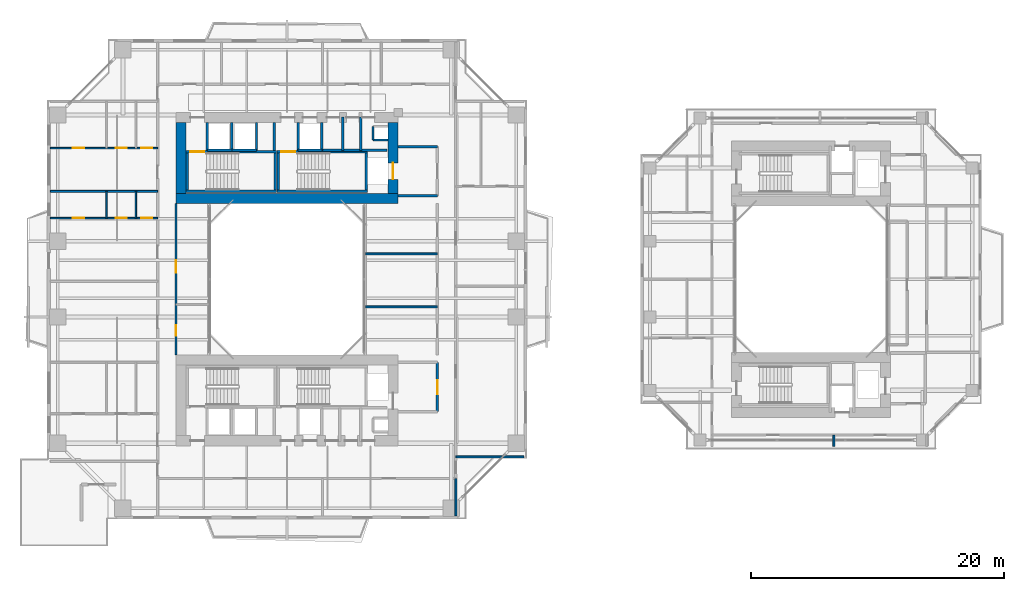
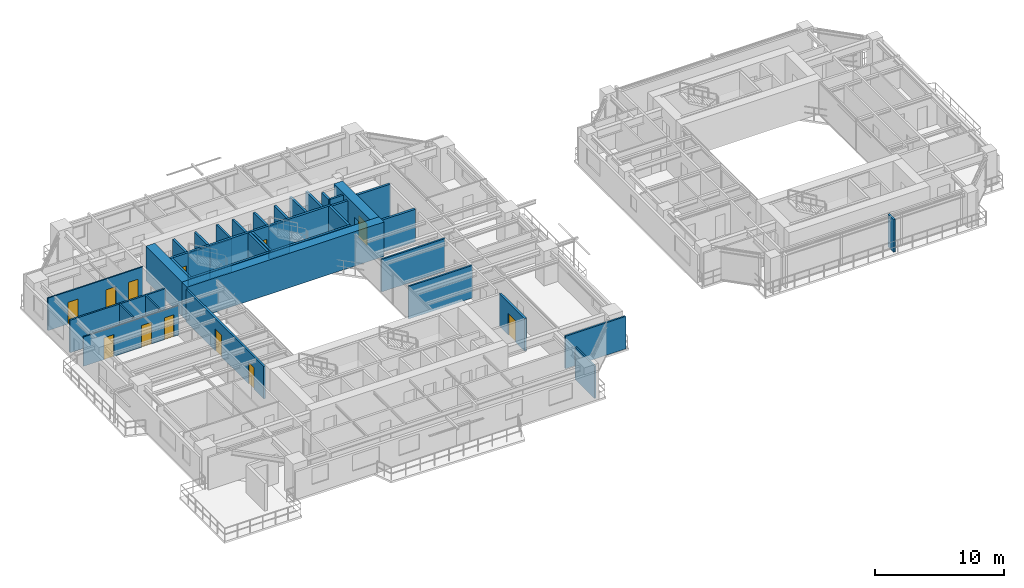
# One storey, part 14 of 24: 39 walls, 12 doors, 12 openings.
"""IFC4 building model written with IfcOpenShell, lengths in metres."""

from ifc_helpers import new_model, si_unit, direction, frame, frame_2d, origin, place, context, subcontext, project, spatial, rectangle, extrude, source, transform, mapped, material, layer, layer_set, type_object, element, fill, save


model = new_model("IFC4")

# Units and contexts
model_context = context("Model", 3, precision=1e-05, world=origin(), true_north=direction((0.0, 1.0)))
body_context = subcontext(model_context, "Body", "Model", "MODEL_VIEW")
ifc_project = project(units=[si_unit("LENGTHUNIT", "METRE"), si_unit("AREAUNIT", "SQUARE_METRE"), si_unit("VOLUMEUNIT", "CUBIC_METRE"), si_unit("PLANEANGLEUNIT", "RADIAN"), si_unit("MASSUNIT", "GRAM", prefix="KILO"), si_unit("THERMODYNAMICTEMPERATUREUNIT", "KELVIN"), si_unit("POWERUNIT", "WATT")], contexts=[model_context])

# Site, building, storey
site_placement = place(None, origin())
site = spatial("IfcSite", under=ifc_project, at=site_placement, CompositionType="ELEMENT")
building_placement = place(site_placement, origin())
building = spatial("IfcBuilding", under=site, at=building_placement, Name="Qiaomeng Ring Towers", CompositionType="ELEMENT")
storey_placement = place(building_placement, frame((0.0, 0.0, 63.25)))
storey = spatial("IfcBuildingStorey", under=building, at=storey_placement, Name="L17", CompositionType="ELEMENT", Elevation=63.25)

# Walls
ifc_material_1 = material(Name="Autoclaved aerated concrete block", Category="concrete")
ifc_layer_1 = layer(ifc_material_1, 0.199951171875, Name="Autoclaved aerated concrete block")
ifc_layer_set_1 = layer_set([ifc_layer_1], Name="Autoclaved aerated concrete block")
wall_type_1 = type_object("IfcWallType", Name="ARC-WL-PW1", PredefinedType="PARTITIONING", material=ifc_layer_set_1)
for number, where, z_axis, x_axis, name in (
    (1, (27.800048828125, 29.60009765625, 0.0), (0.0, 0.0, 1.0), (1.0, 0.0, 0.0), "L17 Interior Wall PW1"),
    (2, (27.800048828125, 33.5, 0.0), (0.0, 0.0, 1.0), (1.0, 0.0, 0.0), "L17 Interior Wall PW1"),
):
    element("IfcWall", number, at=place(storey_placement, frame(where, z_axis=z_axis, x_axis=x_axis)), inside=storey, type_object=wall_type_1, Name=name, PredefinedType="PARTITIONING", context=body_context, shape_type="SweptSolid", body=[
        extrude(rectangle(XDim=3.099853515625, YDim=0.199951171875, at=frame_2d((1.5498046875, 0.0))), origin(), (0.0, 0.0, 1.0), 3.070068359375),
    ])

# Wall, opening, door
wall_1_placement = place(storey_placement, frame((30.89990234375, 12.5, 0.0), z_axis=(0.0, 0.0, 1.0), x_axis=(0.0, 1.0, 0.0)))
wall_1 = element("IfcWall", 3, at=wall_1_placement, inside=storey, type_object=wall_type_1, Name="L17 Interior Wall PW1", PredefinedType="PARTITIONING", context=body_context, shape_type="SweptSolid", body=[
    extrude(rectangle(XDim=3.89990234375, YDim=0.199951171875, at=frame_2d((1.949951171875, 0.0))), origin(), (0.0, 0.0, 1.0), 3.070068359375),
])
opening_1_placement = place(wall_1_placement, frame((1.39990234375, 0.0, 0.0)))
opening_1 = element("IfcOpeningElement", 4, at=opening_1_placement, cuts=wall_1, Name="Opening FD3", PredefinedType="OPENING", context=body_context, shape_type="SweptSolid", body=[
    extrude(rectangle(XDim=1.10009765625, YDim=2.050048828125, at=frame_2d((0.550048828125, 1.02490234375))), frame((0.0, 0.10986328125, 0.0), z_axis=(0.0, -1.0, 0.0), x_axis=(1.0, 0.0, 0.0)), (0.0, 0.0, 1.0), 0.219970703125),
])
ifc_material_2 = material(Name="Galvanised steel", Category="steel")
door_type_1 = type_object("IfcDoorType", Name="ARC-DR-FD3", OperationType="NOTDEFINED", PredefinedType="DOOR", material=ifc_material_2)
shared_shape_1 = source(origin(), body_context, "Body", "SweptSolid", [
    extrude(rectangle(XDim=1.10009765625, YDim=2.050048828125, at=frame_2d((0.550048828125, 1.02490234375))), frame((0.0, 0.02490234375, 0.0), z_axis=(0.0, -1.0, 0.0), x_axis=(1.0, 0.0, 0.0)), (0.0, 0.0, 1.0), 0.050048828125),
])
door_1_placement = place(opening_1_placement, origin())
door_1 = element("IfcDoor", 5, at=door_1_placement, inside=storey, type_object=door_type_1, Name="L17 South FF Lobby Door", OperationType="SINGLE_SWING_RIGHT", OverallHeight=2.050048828125, OverallWidth=1.10009765625, PredefinedType="DOOR", context=body_context, shape_type="MappedRepresentation", body=[
    mapped(shared_shape_1, transform((0.0, 0.0, 0.0), x_axis=(1.0, 0.0, 0.0), y_axis=(0.0, 1.0, 0.0), z_axis=(0.0, 0.0, 1.0), scale=1.0)),
])
fill(opening_1, door_1)

# Walls
for number, where, z_axis, x_axis, name in (
    (6, (12.679931640625, 33.18994140625, 0.0), (0.0, 0.0, 1.0), (0.0, 1.0, 0.0), "L17 Interior Wall PW1"),
    (7, (18.0, 33.18994140625, 0.0), (0.0, 0.0, 1.0), (0.0, 1.0, 0.0), "L17 Interior Wall PW1"),
    (8, (19.8798828125, 33.18994140625, 0.0), (0.0, 0.0, 1.0), (0.0, 1.0, 0.0), "L17 Interior Wall PW1"),
):
    element("IfcWall", number, at=place(storey_placement, frame(where, z_axis=z_axis, x_axis=x_axis)), inside=storey, type_object=wall_type_1, Name=name, PredefinedType="PARTITIONING", context=body_context, shape_type="SweptSolid", body=[
        extrude(rectangle(XDim=2.2099609375, YDim=0.199951171875, at=frame_2d((1.10498046875, 0.0))), origin(), (0.0, 0.0, 1.0), 3.070068359375),
    ])
wall_2_placement = place(storey_placement, frame((24.820068359375, 33.199951171875, 0.0), z_axis=(0.0, 0.0, 1.0), x_axis=(0.0, 1.0, 0.0)))
element("IfcWall", 9, at=wall_2_placement, inside=storey, type_object=wall_type_1, Name="L17 Interior Wall PW1", PredefinedType="PARTITIONING", context=body_context, shape_type="SweptSolid", body=[
    extrude(rectangle(XDim=2.650146484375, YDim=0.199951171875, at=frame_2d((1.3251953125, 0.0))), origin(), (0.0, 0.0, 1.0), 3.070068359375),
])
wall_3_placement = place(storey_placement, frame((21.75, 33.199951171875, 0.0), z_axis=(0.0, 0.0, 1.0), x_axis=(0.0, 1.0, 0.0)))
element("IfcWall", 10, at=wall_3_placement, inside=storey, type_object=wall_type_1, Name="L17 Interior Wall PW1", PredefinedType="PARTITIONING", context=body_context, shape_type="SweptSolid", body=[
    extrude(rectangle(XDim=2.199951171875, YDim=0.199951171875, at=frame_2d((1.10009765625, 0.0))), origin(), (0.0, 0.0, 1.0), 3.070068359375),
])
wall_4_placement = place(storey_placement, frame((23.39990234375, 33.199951171875, 0.0), z_axis=(0.0, 0.0, 1.0), x_axis=(0.0, 1.0, 0.0)))
element("IfcWall", 11, at=wall_4_placement, inside=storey, type_object=wall_type_1, Name="L17 Interior Wall PW1", PredefinedType="PARTITIONING", context=body_context, shape_type="SweptSolid", body=[
    extrude(rectangle(XDim=2.650146484375, YDim=0.199951171875, at=frame_2d((1.3251953125, 0.0))), origin(), (0.0, 0.0, 1.0), 3.070068359375),
])
wall_5_placement = place(storey_placement, frame((21.75, 33.199951171875, 0.0), z_axis=(0.0, 0.0, 1.0), x_axis=(1.0, 0.0, 0.0)))
element("IfcWall", 12, at=wall_5_placement, inside=storey, type_object=wall_type_1, Name="L17 Interior Wall PW1", PredefinedType="PARTITIONING", context=body_context, shape_type="SweptSolid", body=[
    extrude(rectangle(XDim=5.169921875, YDim=0.199951171875, at=frame_2d((2.5849609375, 0.0))), origin(), (0.0, 0.0, 1.0), 3.070068359375),
])

# Wall, openings, doors
ifc_layer_2 = layer(ifc_material_1, 0.179931640625, Name="Autoclaved aerated concrete block")
ifc_layer_set_2 = layer_set([ifc_layer_2], Name="Autoclaved aerated concrete block")
wall_type_2 = type_object("IfcWallType", Name="ARC-WL-PW2", PredefinedType="PARTITIONING", material=ifc_layer_set_2)
wall_6_placement = place(storey_placement, frame((10.199951171875, 17.0, 0.0), z_axis=(0.0, 0.0, 1.0), x_axis=(0.0, 1.0, 0.0)))
wall_6 = element("IfcWall", 13, at=wall_6_placement, inside=storey, type_object=wall_type_2, Name="L17 Interior Wall PW2", PredefinedType="PARTITIONING", context=body_context, shape_type="SweptSolid", body=[
    extrude(rectangle(XDim=12.0, YDim=0.179931640625, at=frame_2d((6.0, 0.0))), origin(), (0.0, 0.0, 1.0), 3.070068359375),
])
opening_2_placement = place(wall_6_placement, frame((1.5, 0.0, 0.0)))
opening_2 = element("IfcOpeningElement", 14, at=opening_2_placement, cuts=wall_6, Name="Opening ID2", PredefinedType="OPENING", context=body_context, shape_type="SweptSolid", body=[
    extrude(rectangle(XDim=0.85009765625, YDim=2.050048828125, at=frame_2d((0.425048828125, 1.02490234375))), frame((0.0, 0.099853515625, 0.0), z_axis=(0.0, -1.0, 0.0), x_axis=(1.0, 0.0, 0.0)), (0.0, 0.0, 1.0), 0.199951171875),
])
opening_3_placement = place(wall_6_placement, frame((6.5, 0.0, 0.0)))
opening_3 = element("IfcOpeningElement", 15, at=opening_3_placement, cuts=wall_6, Name="Opening FD4", PredefinedType="OPENING", context=body_context, shape_type="SweptSolid", body=[
    extrude(rectangle(XDim=1.0, YDim=2.050048828125, at=frame_2d((0.5, 1.02490234375))), frame((0.0, 0.099853515625, 0.0), z_axis=(0.0, -1.0, 0.0), x_axis=(1.0, 0.0, 0.0)), (0.0, 0.0, 1.0), 0.199951171875),
])
ifc_material_3 = material(Name="Engineered fire-rated oak timber", Category="wood")
door_type_2 = type_object("IfcDoorType", Name="ARC-DR-FD4", OperationType="NOTDEFINED", PredefinedType="DOOR", material=ifc_material_3)
shared_shape_2 = source(origin(), body_context, "Body", "SweptSolid", [
    extrude(rectangle(XDim=1.0, YDim=2.050048828125, at=frame_2d((0.5, 1.02490234375))), frame((0.0, 0.02490234375, 0.0), z_axis=(0.0, -1.0, 0.0), x_axis=(1.0, 0.0, 0.0)), (0.0, 0.0, 1.0), 0.050048828125),
])
door_2_placement = place(opening_3_placement, origin())
door_2 = element("IfcDoor", 16, at=door_2_placement, inside=storey, type_object=door_type_2, Name="L17 Door FD4", OperationType="SINGLE_SWING_LEFT", OverallHeight=2.050048828125, OverallWidth=1.0, PredefinedType="DOOR", context=body_context, shape_type="MappedRepresentation", body=[
    mapped(shared_shape_2, transform((0.0, 0.0, 0.0), x_axis=(1.0, 0.0, 0.0), y_axis=(0.0, 1.0, 0.0), z_axis=(0.0, 0.0, 1.0), scale=1.0)),
])
fill(opening_3, door_2)
ifc_material_4 = material(Name="Moisture-resistant engineered timber", Category="wood")
door_type_3 = type_object("IfcDoorType", Name="ARC-DR-ID2", OperationType="NOTDEFINED", PredefinedType="DOOR", material=ifc_material_4)
shared_shape_3 = source(origin(), body_context, "Body", "SweptSolid", [
    extrude(rectangle(XDim=0.85009765625, YDim=2.050048828125, at=frame_2d((0.425048828125, 1.02490234375))), frame((0.0, 0.02490234375, 0.0), z_axis=(0.0, -1.0, 0.0), x_axis=(1.0, 0.0, 0.0)), (0.0, 0.0, 1.0), 0.050048828125),
])
door_3_placement = place(opening_2_placement, origin())
door_3 = element("IfcDoor", 17, at=door_3_placement, inside=storey, type_object=door_type_3, Name="L17 Door ID2", OperationType="SINGLE_SWING_RIGHT", OverallHeight=2.050048828125, OverallWidth=0.85009765625, PredefinedType="DOOR", context=body_context, shape_type="MappedRepresentation", body=[
    mapped(shared_shape_3, transform((0.0, 0.0, 0.0), x_axis=(1.0, 0.0, 0.0), y_axis=(0.0, 1.0, 0.0), z_axis=(0.0, 0.0, 1.0), scale=1.0)),
])
fill(opening_2, door_3)

# Walls
ifc_material_5 = material(Name="Gypsum fireboard steel-stud partition", Category="steel")
ifc_layer_3 = layer(ifc_material_5, 0.14990234375, Name="Gypsum fireboard steel-stud partition")
ifc_layer_set_3 = layer_set([ifc_layer_3], Name="Gypsum fireboard steel-stud partition")
wall_type_3 = type_object("IfcWallType", Name="ARC-WL-PW3", PredefinedType="PARTITIONING", material=ifc_layer_set_3)
wall_7_placement = place(storey_placement, frame((32.360107421875, 4.25, 0.0), z_axis=(0.0, 0.0, 1.0), x_axis=(0.0, 1.0, 0.0)))
element("IfcWall", 18, at=wall_7_placement, inside=storey, type_object=wall_type_3, Name="L17 Interior Wall PW3", PredefinedType="PARTITIONING", context=body_context, shape_type="SweptSolid", body=[
    extrude(rectangle(XDim=2.9599609375, YDim=0.14990234375, at=frame_2d((1.47998046875, 0.0))), origin(), (0.0, 0.0, 1.0), 3.070068359375),
])
wall_8_placement = place(storey_placement, frame((0.25, 29.949951171875, 0.0), z_axis=(0.0, 0.0, 1.0), x_axis=(1.0, 0.0, 0.0)))
element("IfcWall", 19, at=wall_8_placement, inside=storey, type_object=wall_type_3, Name="L17 Interior Wall PW3", PredefinedType="PARTITIONING", context=body_context, shape_type="SweptSolid", body=[
    extrude(rectangle(XDim=8.5, YDim=0.14990234375, at=frame_2d((4.25, 0.0))), origin(), (0.0, 0.0, 1.0), 3.070068359375),
])
wall_9_placement = place(storey_placement, frame((32.360107421875, 8.919921875, 0.0), z_axis=(0.0, 0.0, 1.0), x_axis=(1.0, 0.0, 0.0)))
element("IfcWall", 20, at=wall_9_placement, inside=storey, type_object=wall_type_3, Name="L17 Interior Wall PW3", PredefinedType="PARTITIONING", context=body_context, shape_type="SweptSolid", body=[
    extrude(rectangle(XDim=5.389892578125, YDim=0.14990234375, at=frame_2d((2.69482421875, 0.0))), origin(), (0.0, 0.0, 1.0), 3.070068359375),
])
for number, where, z_axis, x_axis, name in (
    (21, (25.219970703125, 20.800048828125, 0.0), (0.0, 0.0, 1.0), (1.0, 0.0, 0.0), "L17 Interior Wall PW3"),
    (22, (25.219970703125, 25.0, 0.0), (0.0, 0.0, 1.0), (1.0, 0.0, 0.0), "L17 Interior Wall PW3"),
):
    element("IfcWall", number, at=place(storey_placement, frame(where, z_axis=z_axis, x_axis=x_axis)), inside=storey, type_object=wall_type_3, Name=name, PredefinedType="PARTITIONING", context=body_context, shape_type="SweptSolid", body=[
        extrude(rectangle(XDim=5.679931640625, YDim=0.14990234375, at=frame_2d((2.83984375, 0.0))), origin(), (0.0, 0.0, 1.0), 3.070068359375),
    ])
wall_10_placement = place(storey_placement, frame((62.300048828125, 9.75, 0.0), z_axis=(0.0, 0.0, 1.0), x_axis=(0.0, 1.0, 0.0)))
element("IfcWall", 23, at=wall_10_placement, inside=storey, type_object=wall_type_3, Name="L17 Interior Wall PW3", PredefinedType="PARTITIONING", context=body_context, shape_type="SweptSolid", body=[
    extrude(rectangle(XDim=0.89990234375, YDim=0.14990234375, at=frame_2d((0.449951171875, 0.0))), origin(), (0.0, 0.0, 1.0), 3.070068359375),
])

# Wall, openings, doors
ifc_material_6 = material(Name="Moisture-resistant gypsum steel-stud partition", Category="steel")
ifc_layer_4 = layer(ifc_material_6, 0.1201171875, Name="Moisture-resistant gypsum steel-stud partition")
ifc_layer_set_4 = layer_set([ifc_layer_4], Name="Moisture-resistant gypsum steel-stud partition")
wall_type_4 = type_object("IfcWallType", Name="ARC-WL-PW4", PredefinedType="PLUMBINGWALL", material=ifc_layer_set_4)
wall_11_placement = place(storey_placement, frame((0.25, 27.830078125, 0.0), z_axis=(0.0, 0.0, 1.0), x_axis=(1.0, 0.0, 0.0)))
wall_11 = element("IfcWall", 24, at=wall_11_placement, inside=storey, type_object=wall_type_4, Name="L17 Interior Wall PW4", PredefinedType="PLUMBINGWALL", context=body_context, shape_type="SweptSolid", body=[
    extrude(rectangle(XDim=8.5, YDim=0.1201171875, at=frame_2d((4.25, 0.0))), origin(), (0.0, 0.0, 1.0), 2.77099609375),
])
opening_4_placement = place(wall_11_placement, frame((1.7900390625, 0.0, 0.0)))
opening_4 = element("IfcOpeningElement", 25, at=opening_4_placement, cuts=wall_11, Name="Opening ID1", PredefinedType="OPENING", context=body_context, shape_type="SweptSolid", body=[
    extrude(rectangle(XDim=0.89990234375, YDim=2.050048828125, at=frame_2d((0.449951171875, 1.02490234375))), frame((0.0, 0.070068359375, 0.0), z_axis=(0.0, -1.0, 0.0), x_axis=(1.0, 0.0, 0.0)), (0.0, 0.0, 1.0), 0.14013671875),
])
opening_5_placement = place(wall_11_placement, frame((5.169921875, 0.0, 0.0)))
opening_5 = element("IfcOpeningElement", 26, at=opening_5_placement, cuts=wall_11, Name="Opening ID1", PredefinedType="OPENING", context=body_context, shape_type="SweptSolid", body=[
    extrude(rectangle(XDim=0.89990234375, YDim=2.050048828125, at=frame_2d((0.449951171875, 1.02490234375))), frame((0.0, 0.070068359375, 0.0), z_axis=(0.0, -1.0, 0.0), x_axis=(1.0, 0.0, 0.0)), (0.0, 0.0, 1.0), 0.14013671875),
])
opening_6_placement = place(wall_11_placement, frame((7.205078125, 0.0, 0.0)))
opening_6 = element("IfcOpeningElement", 27, at=opening_6_placement, cuts=wall_11, Name="Opening ID2", PredefinedType="OPENING", context=body_context, shape_type="SweptSolid", body=[
    extrude(rectangle(XDim=0.85009765625, YDim=2.050048828125, at=frame_2d((0.425048828125, 1.02490234375))), frame((0.0, 0.070068359375, 0.0), z_axis=(0.0, -1.0, 0.0), x_axis=(1.0, 0.0, 0.0)), (0.0, 0.0, 1.0), 0.14013671875),
])
door_4_placement = place(opening_6_placement, origin())
door_4 = element("IfcDoor", 28, at=door_4_placement, inside=storey, type_object=door_type_3, Name="L17 Door ID2", OperationType="SINGLE_SWING_RIGHT", OverallHeight=2.050048828125, OverallWidth=0.85009765625, PredefinedType="DOOR", context=body_context, shape_type="MappedRepresentation", body=[
    mapped(shared_shape_3, transform((0.0, 0.0, 0.0), x_axis=(1.0, 0.0, 0.0), y_axis=(0.0, 1.0, 0.0), z_axis=(0.0, 0.0, 1.0), scale=1.0)),
])
fill(opening_6, door_4)
ifc_material_7 = material(Name="Engineered oak timber", Category="wood")
door_type_4 = type_object("IfcDoorType", Name="ARC-DR-ID1", OperationType="NOTDEFINED", PredefinedType="DOOR", material=ifc_material_7)
shared_shape_4 = source(origin(), body_context, "Body", "SweptSolid", [
    extrude(rectangle(XDim=0.89990234375, YDim=2.050048828125, at=frame_2d((0.449951171875, 1.02490234375))), frame((0.0, 0.02490234375, 0.0), z_axis=(0.0, -1.0, 0.0), x_axis=(1.0, 0.0, 0.0)), (0.0, 0.0, 1.0), 0.050048828125),
])
door_5_placement = place(opening_4_placement, origin())
door_5 = element("IfcDoor", 29, at=door_5_placement, inside=storey, type_object=door_type_4, Name="L17 Door ID1", OperationType="SINGLE_SWING_RIGHT", OverallHeight=2.050048828125, OverallWidth=0.89990234375, PredefinedType="DOOR", context=body_context, shape_type="MappedRepresentation", body=[
    mapped(shared_shape_4, transform((0.0, 0.0, 0.0), x_axis=(1.0, 0.0, 0.0), y_axis=(0.0, 1.0, 0.0), z_axis=(0.0, 0.0, 1.0), scale=1.0)),
])
fill(opening_4, door_5)
door_6_placement = place(opening_5_placement, origin())
door_6 = element("IfcDoor", 30, at=door_6_placement, inside=storey, type_object=door_type_4, Name="L17 Door ID1", OperationType="SINGLE_SWING_LEFT", OverallHeight=2.050048828125, OverallWidth=0.89990234375, PredefinedType="DOOR", context=body_context, shape_type="MappedRepresentation", body=[
    mapped(shared_shape_4, transform((0.0, 0.0, 0.0), x_axis=(1.0, 0.0, 0.0), y_axis=(0.0, 1.0, 0.0), z_axis=(0.0, 0.0, 1.0), scale=1.0)),
])
fill(opening_5, door_6)

# Walls
for number, where, z_axis, x_axis, name in (
    (31, (4.7099609375, 27.830078125, 0.0), (0.0, 0.0, 1.0), (0.0, 1.0, 0.0), "L17 Interior Wall PW4"),
    (32, (7.030029296875, 27.830078125, 0.0), (0.0, 0.0, 1.0), (0.0, 1.0, 0.0), "L17 Interior Wall PW4"),
):
    element("IfcWall", number, at=place(storey_placement, frame(where, z_axis=z_axis, x_axis=x_axis)), inside=storey, type_object=wall_type_4, Name=name, PredefinedType="PLUMBINGWALL", context=body_context, shape_type="SweptSolid", body=[
        extrude(rectangle(XDim=2.119873046875, YDim=0.1201171875, at=frame_2d((1.06005859375, 0.0))), origin(), (0.0, 0.0, 1.0), 3.070068359375),
    ])

# Wall, openings, doors
wall_12_placement = place(storey_placement, frame((0.25, 33.3701171875, 0.0), z_axis=(0.0, 0.0, 1.0), x_axis=(1.0, 0.0, 0.0)))
wall_12 = element("IfcWall", 33, at=wall_12_placement, inside=storey, type_object=wall_type_4, Name="L17 Interior Wall PW4", PredefinedType="PLUMBINGWALL", context=body_context, shape_type="SweptSolid", body=[
    extrude(rectangle(XDim=8.5, YDim=0.1201171875, at=frame_2d((4.25, 0.0))), origin(), (0.0, 0.0, 1.0), 3.070068359375),
])
opening_7_placement = place(wall_12_placement, frame((1.7900390625, 0.0, 0.0)))
opening_7 = element("IfcOpeningElement", 34, at=opening_7_placement, cuts=wall_12, Name="Opening ID1", PredefinedType="OPENING", context=body_context, shape_type="SweptSolid", body=[
    extrude(rectangle(XDim=0.89990234375, YDim=2.050048828125, at=frame_2d((0.449951171875, 1.02490234375))), frame((0.0, 0.070068359375, 0.0), z_axis=(0.0, -1.0, 0.0), x_axis=(1.0, 0.0, 0.0)), (0.0, 0.0, 1.0), 0.14013671875),
])
opening_8_placement = place(wall_12_placement, frame((5.169921875, 0.0, 0.0)))
opening_8 = element("IfcOpeningElement", 35, at=opening_8_placement, cuts=wall_12, Name="Opening ID1", PredefinedType="OPENING", context=body_context, shape_type="SweptSolid", body=[
    extrude(rectangle(XDim=0.89990234375, YDim=2.050048828125, at=frame_2d((0.449951171875, 1.02490234375))), frame((0.0, 0.070068359375, 0.0), z_axis=(0.0, -1.0, 0.0), x_axis=(1.0, 0.0, 0.0)), (0.0, 0.0, 1.0), 0.14013671875),
])
opening_9_placement = place(wall_12_placement, frame((7.205078125, 0.0, 0.0)))
opening_9 = element("IfcOpeningElement", 36, at=opening_9_placement, cuts=wall_12, Name="Opening ID2", PredefinedType="OPENING", context=body_context, shape_type="SweptSolid", body=[
    extrude(rectangle(XDim=0.85009765625, YDim=2.050048828125, at=frame_2d((0.425048828125, 1.02490234375))), frame((0.0, 0.070068359375, 0.0), z_axis=(0.0, -1.0, 0.0), x_axis=(1.0, 0.0, 0.0)), (0.0, 0.0, 1.0), 0.14013671875),
])
door_7_placement = place(opening_9_placement, origin())
door_7 = element("IfcDoor", 37, at=door_7_placement, inside=storey, type_object=door_type_3, Name="L17 Door ID2", OperationType="SINGLE_SWING_RIGHT", OverallHeight=2.050048828125, OverallWidth=0.85009765625, PredefinedType="DOOR", context=body_context, shape_type="MappedRepresentation", body=[
    mapped(shared_shape_3, transform((0.0, 0.0, 0.0), x_axis=(1.0, 0.0, 0.0), y_axis=(0.0, 1.0, 0.0), z_axis=(0.0, 0.0, 1.0), scale=1.0)),
])
fill(opening_9, door_7)
door_8_placement = place(opening_7_placement, origin())
door_8 = element("IfcDoor", 38, at=door_8_placement, inside=storey, type_object=door_type_4, Name="L17 Door ID1", OperationType="SINGLE_SWING_RIGHT", OverallHeight=2.050048828125, OverallWidth=0.89990234375, PredefinedType="DOOR", context=body_context, shape_type="MappedRepresentation", body=[
    mapped(shared_shape_4, transform((0.0, 0.0, 0.0), x_axis=(1.0, 0.0, 0.0), y_axis=(0.0, 1.0, 0.0), z_axis=(0.0, 0.0, 1.0), scale=1.0)),
])
fill(opening_7, door_8)
door_9_placement = place(opening_8_placement, origin())
door_9 = element("IfcDoor", 39, at=door_9_placement, inside=storey, type_object=door_type_4, Name="L17 Door ID1", OperationType="SINGLE_SWING_LEFT", OverallHeight=2.050048828125, OverallWidth=0.89990234375, PredefinedType="DOOR", context=body_context, shape_type="MappedRepresentation", body=[
    mapped(shared_shape_4, transform((0.0, 0.0, 0.0), x_axis=(1.0, 0.0, 0.0), y_axis=(0.0, 1.0, 0.0), z_axis=(0.0, 0.0, 1.0), scale=1.0)),
])
fill(opening_8, door_9)

# Walls
ifc_material_8 = material(Name="Concrete C40", Category="concrete")
ifc_layer_5 = layer(ifc_material_8, 0.199951171875, Name="Concrete C40")
ifc_layer_set_5 = layer_set([ifc_layer_5], Name="Concrete C40")
wall_type_5 = type_object("IfcWallType", Name="STR-WL-STSHAFT", PredefinedType="SHEAR", material=ifc_layer_set_5)
wall_13_placement = place(storey_placement, frame((12.679931640625, 33.199951171875, 0.0), z_axis=(0.0, 0.0, 1.0), x_axis=(1.0, 0.0, 0.0)))
element("IfcWall", 40, at=wall_13_placement, inside=storey, type_object=wall_type_5, Name="L17 Lift LP5 Shaft Back Wall", PredefinedType="SHEAR", context=body_context, shape_type="SweptSolid", body=[
    extrude(rectangle(XDim=1.940185546875, YDim=0.179931640625, at=frame_2d((0.97021484375, 0.0))), origin(), (0.0, 0.0, 1.0), 3.070068359375),
])
wall_14_placement = place(storey_placement, frame((14.6201171875, 33.199951171875, 0.0), z_axis=(0.0, 0.0, 1.0), x_axis=(0.0, 1.0, 0.0)))
element("IfcWall", 41, at=wall_14_placement, inside=storey, type_object=wall_type_5, Name="L17 Lift LP5-LP3 Shaft Divider Wall", PredefinedType="SHEAR", context=body_context, shape_type="SweptSolid", body=[
    extrude(rectangle(XDim=2.199951171875, YDim=0.179931640625, at=frame_2d((1.10009765625, 0.0))), origin(), (0.0, 0.0, 1.0), 3.070068359375),
])
wall_15_placement = place(storey_placement, frame((25.800048828125, 34.02001953125, 0.0), z_axis=(0.0, 0.0, 1.0), x_axis=(0.0, 1.0, 0.0)))
element("IfcWall", 42, at=wall_15_placement, inside=storey, type_object=wall_type_5, Name="L17 Riser RSR1 West Shaft Wall N", PredefinedType="SHEAR", context=body_context, shape_type="SweptSolid", body=[
    extrude(rectangle(XDim=1.06005859375, YDim=0.179931640625, at=frame_2d((0.530029296875, 0.0))), origin(), (0.0, 0.0, 1.0), 3.070068359375),
])
wall_16_placement = place(storey_placement, frame((25.800048828125, 34.02001953125, 0.0), z_axis=(0.0, 0.0, 1.0), x_axis=(1.0, 0.0, 0.0)))
element("IfcWall", 43, at=wall_16_placement, inside=storey, type_object=wall_type_5, Name="L17 Riser RSR1 South Shaft Wall N", PredefinedType="SHEAR", context=body_context, shape_type="SweptSolid", body=[
    extrude(rectangle(XDim=1.199951171875, YDim=0.179931640625, at=frame_2d((0.60009765625, 0.0))), origin(), (0.0, 0.0, 1.0), 3.070068359375),
])
wall_17_placement = place(storey_placement, frame((14.6201171875, 33.199951171875, 0.0), z_axis=(0.0, 0.0, 1.0), x_axis=(1.0, 0.0, 0.0)))
element("IfcWall", 44, at=wall_17_placement, inside=storey, type_object=wall_type_5, Name="L17 Lift LP3 Shaft Back Wall", PredefinedType="SHEAR", context=body_context, shape_type="SweptSolid", body=[
    extrude(rectangle(XDim=1.9599609375, YDim=0.179931640625, at=frame_2d((0.97998046875, 0.0))), origin(), (0.0, 0.0, 1.0), 3.070068359375),
])
wall_18_placement = place(storey_placement, frame((16.580078125, 33.199951171875, 0.0), z_axis=(0.0, 0.0, 1.0), x_axis=(0.0, 1.0, 0.0)))
element("IfcWall", 45, at=wall_18_placement, inside=storey, type_object=wall_type_5, Name="L17 Lift LP3 East Shaft Wall", PredefinedType="SHEAR", context=body_context, shape_type="SweptSolid", body=[
    extrude(rectangle(XDim=2.199951171875, YDim=0.179931640625, at=frame_2d((1.10009765625, 0.0))), origin(), (0.0, 0.0, 1.0), 3.070068359375),
])
wall_19_placement = place(storey_placement, frame((19.8798828125, 33.199951171875, 0.0), z_axis=(0.0, 0.0, 1.0), x_axis=(1.0, 0.0, 0.0)))
element("IfcWall", 46, at=wall_19_placement, inside=storey, type_object=wall_type_5, Name="L17 Lift LP1 Shaft Back Wall", PredefinedType="SHEAR", context=body_context, shape_type="SweptSolid", body=[
    extrude(rectangle(XDim=1.8701171875, YDim=0.179931640625, at=frame_2d((0.93505859375, 0.0))), origin(), (0.0, 0.0, 1.0), 3.070068359375),
])
wall_20_placement = place(storey_placement, frame((11.0, 29.949951171875, 0.0), z_axis=(0.0, 0.0, 1.0), x_axis=(1.0, 0.0, 0.0)))
element("IfcWall", 47, at=wall_20_placement, inside=storey, type_object=wall_type_5, Name="L17 Stair ST1 South Shaft Shear Wall", PredefinedType="SHEAR", context=body_context, shape_type="SweptSolid", body=[
    extrude(rectangle(XDim=7.14990234375, YDim=0.199951171875, at=frame_2d((3.574951171875, 0.0))), origin(), (0.0, 0.0, 1.0), 3.25),
])

# Wall, opening, door
wall_21_placement = place(storey_placement, frame((11.0, 33.090087890625, 0.0), z_axis=(0.0, 0.0, 1.0), x_axis=(1.0, 0.0, 0.0)))
wall_21 = element("IfcWall", 48, at=wall_21_placement, inside=storey, type_object=wall_type_5, Name="L17 Stair ST1 North Shaft Shear Wall", PredefinedType="SHEAR", context=body_context, shape_type="SweptSolid", body=[
    extrude(rectangle(XDim=7.14990234375, YDim=0.199951171875, at=frame_2d((3.574951171875, 0.0))), origin(), (0.0, 0.0, 1.0), 3.25),
])
opening_10_placement = place(wall_21_placement, frame((0.35009765625, 0.0, 0.0)))
opening_10 = element("IfcOpeningElement", 49, at=opening_10_placement, cuts=wall_21, Name="Opening FD3", PredefinedType="OPENING", context=body_context, shape_type="SweptSolid", body=[
    extrude(rectangle(XDim=1.10009765625, YDim=2.050048828125, at=frame_2d((0.550048828125, 1.02490234375))), frame((0.0, 0.10986328125, 0.0), z_axis=(0.0, -1.0, 0.0), x_axis=(1.0, 0.0, 0.0)), (0.0, 0.0, 1.0), 0.219970703125),
])
door_10_placement = place(opening_10_placement, origin())
door_10 = element("IfcDoor", 50, at=door_10_placement, inside=storey, type_object=door_type_1, Name="L17 Stair ST1 Exit Door", OperationType="SINGLE_SWING_RIGHT", OverallHeight=2.050048828125, OverallWidth=1.10009765625, PredefinedType="DOOR", context=body_context, shape_type="MappedRepresentation", body=[
    mapped(shared_shape_1, transform((0.0, 0.0, 0.0), x_axis=(1.0, 0.0, 0.0), y_axis=(0.0, 1.0, 0.0), z_axis=(0.0, 0.0, 1.0), scale=1.0)),
])
fill(opening_10, door_10)

# Walls
for number, where, z_axis, x_axis, name in (
    (51, (11.10009765625, 30.050048828125, 0.0), (0.0, 0.0, 1.0), (0.0, 1.0, 0.0), "L17 Stair ST1 West Shaft Shear Wall"),
    (52, (18.050048828125, 30.050048828125, 0.0), (0.0, 0.0, 1.0), (0.0, 1.0, 0.0), "L17 Stair ST1 East Shaft Shear Wall"),
):
    element("IfcWall", number, at=place(storey_placement, frame(where, z_axis=z_axis, x_axis=x_axis)), inside=storey, type_object=wall_type_5, Name=name, PredefinedType="SHEAR", context=body_context, shape_type="SweptSolid", body=[
        extrude(rectangle(XDim=2.93994140625, YDim=0.199951171875, at=frame_2d((1.469970703125, 0.0))), origin(), (0.0, 0.0, 1.0), 3.25),
    ])
wall_22_placement = place(storey_placement, frame((18.199951171875, 29.949951171875, 0.0), z_axis=(0.0, 0.0, 1.0), x_axis=(1.0, 0.0, 0.0)))
element("IfcWall", 53, at=wall_22_placement, inside=storey, type_object=wall_type_5, Name="L17 Stair ST2 South Shaft Shear Wall", PredefinedType="SHEAR", context=body_context, shape_type="SweptSolid", body=[
    extrude(rectangle(XDim=7.150146484375, YDim=0.199951171875, at=frame_2d((3.5751953125, 0.0))), origin(), (0.0, 0.0, 1.0), 3.25),
])

# Wall, opening, door
wall_23_placement = place(storey_placement, frame((18.199951171875, 33.090087890625, 0.0), z_axis=(0.0, 0.0, 1.0), x_axis=(1.0, 0.0, 0.0)))
wall_23 = element("IfcWall", 54, at=wall_23_placement, inside=storey, type_object=wall_type_5, Name="L17 Stair ST2 North Shaft Shear Wall", PredefinedType="SHEAR", context=body_context, shape_type="SweptSolid", body=[
    extrude(rectangle(XDim=7.150146484375, YDim=0.199951171875, at=frame_2d((3.5751953125, 0.0))), origin(), (0.0, 0.0, 1.0), 3.25),
])
opening_11_placement = place(wall_23_placement, frame((0.35009765625, 0.0, 0.0)))
opening_11 = element("IfcOpeningElement", 55, at=opening_11_placement, cuts=wall_23, Name="Opening FD3", PredefinedType="OPENING", context=body_context, shape_type="SweptSolid", body=[
    extrude(rectangle(XDim=1.10009765625, YDim=2.050048828125, at=frame_2d((0.550048828125, 1.02490234375))), frame((0.0, 0.10986328125, 0.0), z_axis=(0.0, -1.0, 0.0), x_axis=(1.0, 0.0, 0.0)), (0.0, 0.0, 1.0), 0.219970703125),
])
door_11_placement = place(opening_11_placement, origin())
door_11 = element("IfcDoor", 56, at=door_11_placement, inside=storey, type_object=door_type_1, Name="L17 Stair ST2 Exit Door", OperationType="SINGLE_SWING_RIGHT", OverallHeight=2.050048828125, OverallWidth=1.10009765625, PredefinedType="DOOR", context=body_context, shape_type="MappedRepresentation", body=[
    mapped(shared_shape_1, transform((0.0, 0.0, 0.0), x_axis=(1.0, 0.0, 0.0), y_axis=(0.0, 1.0, 0.0), z_axis=(0.0, 0.0, 1.0), scale=1.0)),
])
fill(opening_11, door_11)

# Walls
for number, where, z_axis, x_axis, name in (
    (57, (18.300048828125, 30.050048828125, 0.0), (0.0, 0.0, 1.0), (0.0, 1.0, 0.0), "L17 Stair ST2 West Shaft Shear Wall"),
    (58, (25.25, 30.050048828125, 0.0), (0.0, 0.0, 1.0), (0.0, 1.0, 0.0), "L17 Stair ST2 East Shaft Shear Wall"),
):
    element("IfcWall", number, at=place(storey_placement, frame(where, z_axis=z_axis, x_axis=x_axis)), inside=storey, type_object=wall_type_5, Name=name, PredefinedType="SHEAR", context=body_context, shape_type="SweptSolid", body=[
        extrude(rectangle(XDim=2.93994140625, YDim=0.199951171875, at=frame_2d((1.469970703125, 0.0))), origin(), (0.0, 0.0, 1.0), 3.25),
    ])
ifc_material_9 = material(Name="Concrete C60", Category="concrete")
ifc_layer_6 = layer(ifc_material_9, 0.800048828125, Name="Concrete C60")
ifc_layer_set_6 = layer_set([ifc_layer_6], Name="Concrete C60")
wall_type_6 = type_object("IfcWallType", Name="STR-WL-SW1", PredefinedType="SHEAR", material=ifc_layer_set_6)
wall_24_placement = place(storey_placement, frame((10.199951171875, 29.39990234375, 0.0), z_axis=(0.0, 0.0, 1.0), x_axis=(1.0, 0.0, 0.0)))
element("IfcWall", 59, at=wall_24_placement, inside=storey, type_object=wall_type_6, Name="L17 T1NC south core shear wall", PredefinedType="SHEAR", context=body_context, shape_type="SweptSolid", body=[
    extrude(rectangle(XDim=17.60009765625, YDim=0.800048828125, at=frame_2d((8.800048828125, 0.0))), origin(), (0.0, 0.0, 1.0), 3.25),
])
wall_25_placement = place(storey_placement, frame((10.60009765625, 29.800048828125, 0.0), z_axis=(0.0, 0.0, 1.0), x_axis=(0.0, 1.0, 0.0)))
element("IfcWall", 60, at=wall_25_placement, inside=storey, type_object=wall_type_6, Name="L17 T1NC west core shear wall", PredefinedType="SHEAR", context=body_context, shape_type="SweptSolid", body=[
    extrude(rectangle(XDim=5.599853515625, YDim=0.800048828125, at=frame_2d((2.7998046875, 0.0))), origin(), (0.0, 0.0, 1.0), 3.25),
])

# Wall, opening, door
wall_26_placement = place(storey_placement, frame((27.39990234375, 29.800048828125, 0.0), z_axis=(0.0, 0.0, 1.0), x_axis=(0.0, 1.0, 0.0)))
wall_26 = element("IfcWall", 61, at=wall_26_placement, inside=storey, type_object=wall_type_6, Name="L17 T1NC east core shear wall", PredefinedType="SHEAR", context=body_context, shape_type="SweptSolid", body=[
    extrude(rectangle(XDim=5.599853515625, YDim=0.800048828125, at=frame_2d((2.7998046875, 0.0))), origin(), (0.0, 0.0, 1.0), 3.25),
])
opening_12_placement = place(wall_26_placement, frame((1.10009765625, 0.0, 0.0)))
opening_12 = element("IfcOpeningElement", 62, at=opening_12_placement, cuts=wall_26, Name="Opening LD2", PredefinedType="OPENING", context=body_context, shape_type="SweptSolid", body=[
    extrude(rectangle(XDim=1.300048828125, YDim=2.050048828125, at=frame_2d((0.64990234375, 1.02490234375))), frame((0.0, 0.409912109375, 0.0), z_axis=(0.0, -1.0, 0.0), x_axis=(1.0, 0.0, 0.0)), (0.0, 0.0, 1.0), 0.820068359375),
])
ifc_material_10 = material(Name="Stainless steel 316", Category="steel")
door_type_5 = type_object("IfcDoorType", Name="ARC-DR-LD2", OperationType="NOTDEFINED", PredefinedType="DOOR", material=ifc_material_10)
shared_shape_5 = source(origin(), body_context, "Body", "SweptSolid", [
    extrude(rectangle(XDim=1.300048828125, YDim=2.050048828125, at=frame_2d((0.64990234375, 1.02490234375))), frame((0.0, 0.02490234375, 0.0), z_axis=(0.0, -1.0, 0.0), x_axis=(1.0, 0.0, 0.0)), (0.0, 0.0, 1.0), 0.050048828125),
])
door_12_placement = place(opening_12_placement, origin())
door_12 = element("IfcDoor", 63, at=door_12_placement, inside=storey, type_object=door_type_5, Name="L17 Firefighting Lift FL1 Landing Door", OperationType="SLIDING_TO_LEFT", OverallHeight=2.050048828125, OverallWidth=1.300048828125, PredefinedType="DOOR", context=body_context, shape_type="MappedRepresentation", body=[
    mapped(shared_shape_5, transform((0.0, 0.0, 0.0), x_axis=(1.0, 0.0, 0.0), y_axis=(0.0, 1.0, 0.0), z_axis=(0.0, 0.0, 1.0), scale=1.0)),
])
fill(opening_12, door_12)

save(model, "model.ifc")
